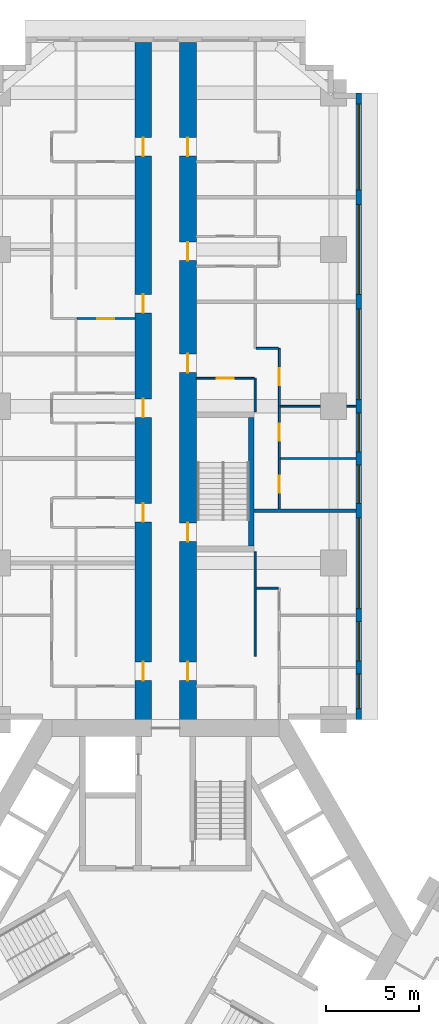
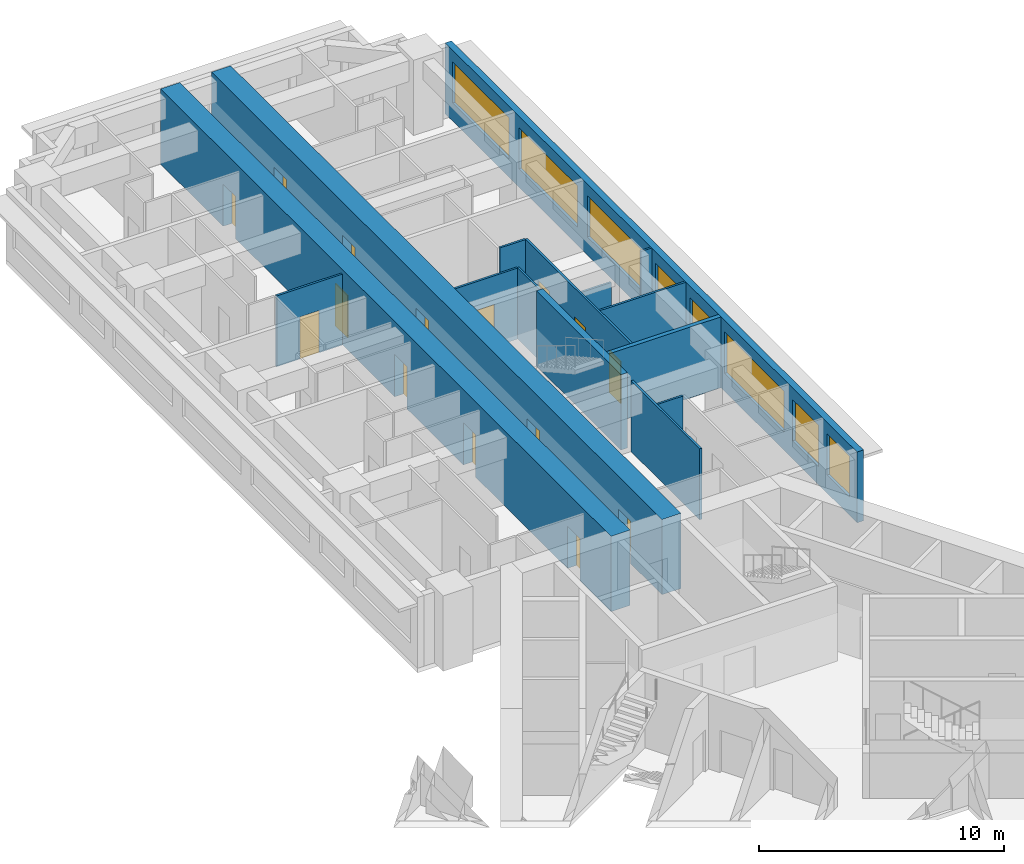
# One storey, part 10 of 16: 15 doors, 15 walls, 8 windows, 23 openings.
"""IFC4 building model written with IfcOpenShell, lengths in metres."""

from ifc_helpers import new_model, si_unit, direction, frame, frame_2d, origin, place, context, subcontext, project, spatial, rectangle, extrude, material, layer, layer_set, type_object, element, fill, save


model = new_model("IFC4")

# Units and contexts
model_context = context("Model", 3, precision=1e-05, world=origin(), true_north=direction((0.0, 1.0)))
body_context = subcontext(model_context, "Body", "Model", "MODEL_VIEW")
ifc_project = project(units=[si_unit("LENGTHUNIT", "METRE"), si_unit("AREAUNIT", "SQUARE_METRE"), si_unit("VOLUMEUNIT", "CUBIC_METRE"), si_unit("PLANEANGLEUNIT", "RADIAN"), si_unit("MASSUNIT", "GRAM", prefix="KILO")], contexts=[model_context])

# Site, building, storey
site_placement = place(None, origin())
site = spatial("IfcSite", under=ifc_project, at=site_placement, CompositionType="ELEMENT")
building_placement = place(site_placement, origin())
building = spatial("IfcBuilding", under=site, at=building_placement, Name="Impinga Residences", CompositionType="ELEMENT")
storey_placement = place(building_placement, frame((0.0, 0.0, 67.25)))
storey = spatial("IfcBuildingStorey", under=building, at=storey_placement, Name="L16", CompositionType="ELEMENT", Elevation=67.25)

# Wall, openings, doors
ifc_material_1 = material(Name="Concrete C70/85", Category="concrete")
ifc_layer_1 = layer(ifc_material_1, 0.89990234375)
ifc_layer_set_1 = layer_set([ifc_layer_1], Name="Concrete C70/85")
wall_type_1 = type_object("IfcWallType", Name="BW1 corridor buttress wall, L05 to L22 900", PredefinedType="SHEAR", material=ifc_layer_set_1)
wall_1_placement = place(storey_placement, frame((-1.199951171875, 10.9814453125, 0.0), z_axis=(0.0, 0.0, 1.0), x_axis=(0.0, 1.0, 0.0)))
wall_1 = element("IfcWall", 1, at=wall_1_placement, inside=storey, type_object=wall_type_1, Name="Corridor wall BW1 NC L16", PredefinedType="SHEAR", context=body_context, shape_type="SweptSolid", body=[
    extrude(rectangle(XDim=36.75, YDim=0.89990234375, at=frame_2d((18.375, 0.0))), origin(), (0.0, 0.0, 1.0), 3.75),
])
opening_1_placement = place(wall_1_placement, frame((2.550048828125, 0.0, 0.0)))
opening_1 = element("IfcOpeningElement", 2, at=opening_1_placement, cuts=wall_1, Name="Opening D1", PredefinedType="OPENING", context=body_context, shape_type="SweptSolid", body=[
    extrude(rectangle(XDim=1.0, YDim=2.10009765625, at=frame_2d((0.5, 1.050048828125))), frame((0.0, 0.4599609375, 0.0), z_axis=(0.0, -1.0, 0.0), x_axis=(1.0, 0.0, 0.0)), (0.0, 0.0, 1.0), 0.919921875),
])
opening_2_placement = place(wall_1_placement, frame((11.050048828125, 0.0, 0.0)))
opening_2 = element("IfcOpeningElement", 3, at=opening_2_placement, cuts=wall_1, Name="Opening D1", PredefinedType="OPENING", context=body_context, shape_type="SweptSolid", body=[
    extrude(rectangle(XDim=1.0, YDim=2.10009765625, at=frame_2d((0.5, 1.050048828125))), frame((0.0, 0.4599609375, 0.0), z_axis=(0.0, -1.0, 0.0), x_axis=(1.0, 0.0, 0.0)), (0.0, 0.0, 1.0), 0.919921875),
])
opening_3_placement = place(wall_1_placement, frame((16.64990234375, 0.0, 0.0)))
opening_3 = element("IfcOpeningElement", 4, at=opening_3_placement, cuts=wall_1, Name="Opening D1", PredefinedType="OPENING", context=body_context, shape_type="SweptSolid", body=[
    extrude(rectangle(XDim=1.0, YDim=2.10009765625, at=frame_2d((0.5, 1.050048828125))), frame((0.0, 0.4599609375, 0.0), z_axis=(0.0, -1.0, 0.0), x_axis=(1.0, 0.0, 0.0)), (0.0, 0.0, 1.0), 0.919921875),
])
opening_4_placement = place(wall_1_placement, frame((22.25, 0.0, 0.0)))
opening_4 = element("IfcOpeningElement", 5, at=opening_4_placement, cuts=wall_1, Name="Opening D1", PredefinedType="OPENING", context=body_context, shape_type="SweptSolid", body=[
    extrude(rectangle(XDim=1.0, YDim=2.10009765625, at=frame_2d((0.5, 1.050048828125))), frame((0.0, 0.4599609375, 0.0), z_axis=(0.0, -1.0, 0.0), x_axis=(1.0, 0.0, 0.0)), (0.0, 0.0, 1.0), 0.919921875),
])
opening_5_placement = place(wall_1_placement, frame((30.64990234375, 0.0, 0.0)))
opening_5 = element("IfcOpeningElement", 6, at=opening_5_placement, cuts=wall_1, Name="Opening D1", PredefinedType="OPENING", context=body_context, shape_type="SweptSolid", body=[
    extrude(rectangle(XDim=1.0, YDim=2.10009765625, at=frame_2d((0.5, 1.050048828125))), frame((0.0, 0.4599609375, 0.0), z_axis=(0.0, -1.0, 0.0), x_axis=(1.0, 0.0, 0.0)), (0.0, 0.0, 1.0), 0.919921875),
])
ifc_material_2 = material(Name="Timber door set", Category="wood")
door_type_1 = type_object("IfcDoorType", Name="D1 apartment entrance door 1000x2100", OperationType="SINGLE_SWING_LEFT", PredefinedType="DOOR", material=ifc_material_2)
door_1_placement = place(opening_1_placement, origin())
door_1 = element("IfcDoor", 7, at=door_1_placement, inside=storey, type_object=door_type_1, Name="Apartment L16-NA1 entrance", OperationType="SINGLE_SWING_LEFT", OverallHeight=2.10009765625, OverallWidth=1.0, PredefinedType="DOOR", context=body_context, shape_type="SweptSolid", body=[
    extrude(rectangle(XDim=1.0, YDim=2.10009765625, at=frame_2d((0.5, 1.050048828125))), frame((0.0, 0.02490234375, 0.0), z_axis=(0.0, -1.0, 0.0), x_axis=(1.0, 0.0, 0.0)), (0.0, 0.0, 1.0), 0.050048828125),
])
fill(opening_1, door_1)
door_2_placement = place(opening_2_placement, origin())
door_2 = element("IfcDoor", 8, at=door_2_placement, inside=storey, type_object=door_type_1, Name="Apartment L16-NA2 entrance", OperationType="SINGLE_SWING_LEFT", OverallHeight=2.10009765625, OverallWidth=1.0, PredefinedType="DOOR", context=body_context, shape_type="SweptSolid", body=[
    extrude(rectangle(XDim=1.0, YDim=2.10009765625, at=frame_2d((0.5, 1.050048828125))), frame((0.0, 0.02490234375, 0.0), z_axis=(0.0, -1.0, 0.0), x_axis=(1.0, 0.0, 0.0)), (0.0, 0.0, 1.0), 0.050048828125),
])
fill(opening_2, door_2)
door_3_placement = place(opening_3_placement, origin())
door_3 = element("IfcDoor", 9, at=door_3_placement, inside=storey, type_object=door_type_1, Name="Apartment L16-NA3 entrance", OperationType="SINGLE_SWING_LEFT", OverallHeight=2.10009765625, OverallWidth=1.0, PredefinedType="DOOR", context=body_context, shape_type="SweptSolid", body=[
    extrude(rectangle(XDim=1.0, YDim=2.10009765625, at=frame_2d((0.5, 1.050048828125))), frame((0.0, 0.02490234375, 0.0), z_axis=(0.0, -1.0, 0.0), x_axis=(1.0, 0.0, 0.0)), (0.0, 0.0, 1.0), 0.050048828125),
])
fill(opening_3, door_3)
door_4_placement = place(opening_4_placement, origin())
door_4 = element("IfcDoor", 10, at=door_4_placement, inside=storey, type_object=door_type_1, Name="Apartment L16-NA4 entrance", OperationType="SINGLE_SWING_RIGHT", OverallHeight=2.10009765625, OverallWidth=1.0, PredefinedType="DOOR", context=body_context, shape_type="SweptSolid", body=[
    extrude(rectangle(XDim=1.0, YDim=2.10009765625, at=frame_2d((0.5, 1.050048828125))), frame((0.0, 0.02490234375, 0.0), z_axis=(0.0, -1.0, 0.0), x_axis=(1.0, 0.0, 0.0)), (0.0, 0.0, 1.0), 0.050048828125),
])
fill(opening_4, door_4)
door_5_placement = place(opening_5_placement, origin())
door_5 = element("IfcDoor", 11, at=door_5_placement, inside=storey, type_object=door_type_1, Name="Apartment L16-NA5 entrance", OperationType="SINGLE_SWING_RIGHT", OverallHeight=2.10009765625, OverallWidth=1.0, PredefinedType="DOOR", context=body_context, shape_type="SweptSolid", body=[
    extrude(rectangle(XDim=1.0, YDim=2.10009765625, at=frame_2d((0.5, 1.050048828125))), frame((0.0, 0.02490234375, 0.0), z_axis=(0.0, -1.0, 0.0), x_axis=(1.0, 0.0, 0.0)), (0.0, 0.0, 1.0), 0.050048828125),
])
fill(opening_5, door_5)

wall_2_placement = place(storey_placement, frame((1.199951171875, 10.9814453125, 0.0), z_axis=(0.0, 0.0, 1.0), x_axis=(0.0, 1.0, 0.0)))
wall_2 = element("IfcWall", 12, at=wall_2_placement, inside=storey, type_object=wall_type_1, Name="Corridor wall BW1 ND L16", PredefinedType="SHEAR", context=body_context, shape_type="SweptSolid", body=[
    extrude(rectangle(XDim=36.75, YDim=0.89990234375, at=frame_2d((18.375, 0.0))), origin(), (0.0, 0.0, 1.0), 3.75),
])
opening_6_placement = place(wall_2_placement, frame((10.0, 0.0, 0.0)))
opening_6 = element("IfcOpeningElement", 13, at=opening_6_placement, cuts=wall_2, Name="Opening D5", PredefinedType="OPENING", context=body_context, shape_type="SweptSolid", body=[
    extrude(rectangle(XDim=1.0, YDim=2.10009765625, at=frame_2d((0.5, 1.050048828125))), frame((0.0, 0.4599609375, 0.0), z_axis=(0.0, -1.0, 0.0), x_axis=(1.0, 0.0, 0.0)), (0.0, 0.0, 1.0), 0.919921875),
])
opening_7_placement = place(wall_2_placement, frame((2.550048828125, 0.0, 0.0)))
opening_7 = element("IfcOpeningElement", 14, at=opening_7_placement, cuts=wall_2, Name="Opening D1", PredefinedType="OPENING", context=body_context, shape_type="SweptSolid", body=[
    extrude(rectangle(XDim=1.0, YDim=2.10009765625, at=frame_2d((0.5, 1.050048828125))), frame((0.0, 0.4599609375, 0.0), z_axis=(0.0, -1.0, 0.0), x_axis=(1.0, 0.0, 0.0)), (0.0, 0.0, 1.0), 0.919921875),
])
opening_8_placement = place(wall_2_placement, frame((19.050048828125, 0.0, 0.0)))
opening_8 = element("IfcOpeningElement", 15, at=opening_8_placement, cuts=wall_2, Name="Opening D1", PredefinedType="OPENING", context=body_context, shape_type="SweptSolid", body=[
    extrude(rectangle(XDim=1.0, YDim=2.10009765625, at=frame_2d((0.5, 1.050048828125))), frame((0.0, 0.4599609375, 0.0), z_axis=(0.0, -1.0, 0.0), x_axis=(1.0, 0.0, 0.0)), (0.0, 0.0, 1.0), 0.919921875),
])
opening_9_placement = place(wall_2_placement, frame((25.050048828125, 0.0, 0.0)))
opening_9 = element("IfcOpeningElement", 16, at=opening_9_placement, cuts=wall_2, Name="Opening D1", PredefinedType="OPENING", context=body_context, shape_type="SweptSolid", body=[
    extrude(rectangle(XDim=1.0, YDim=2.10009765625, at=frame_2d((0.5, 1.050048828125))), frame((0.0, 0.4599609375, 0.0), z_axis=(0.0, -1.0, 0.0), x_axis=(1.0, 0.0, 0.0)), (0.0, 0.0, 1.0), 0.919921875),
])
opening_10_placement = place(wall_2_placement, frame((30.64990234375, 0.0, 0.0)))
opening_10 = element("IfcOpeningElement", 17, at=opening_10_placement, cuts=wall_2, Name="Opening D1", PredefinedType="OPENING", context=body_context, shape_type="SweptSolid", body=[
    extrude(rectangle(XDim=1.0, YDim=2.10009765625, at=frame_2d((0.5, 1.050048828125))), frame((0.0, 0.4599609375, 0.0), z_axis=(0.0, -1.0, 0.0), x_axis=(1.0, 0.0, 0.0)), (0.0, 0.0, 1.0), 0.919921875),
])
door_6_placement = place(opening_7_placement, origin())
door_6 = element("IfcDoor", 18, at=door_6_placement, inside=storey, type_object=door_type_1, Name="Apartment L16-NF1 entrance", OperationType="SINGLE_SWING_LEFT", OverallHeight=2.10009765625, OverallWidth=1.0, PredefinedType="DOOR", context=body_context, shape_type="SweptSolid", body=[
    extrude(rectangle(XDim=1.0, YDim=2.10009765625, at=frame_2d((0.5, 1.050048828125))), frame((0.0, 0.02490234375, 0.0), z_axis=(0.0, -1.0, 0.0), x_axis=(1.0, 0.0, 0.0)), (0.0, 0.0, 1.0), 0.050048828125),
])
fill(opening_7, door_6)
door_7_placement = place(opening_8_placement, origin())
door_7 = element("IfcDoor", 19, at=door_7_placement, inside=storey, type_object=door_type_1, Name="Apartment L16-NF2 entrance", OperationType="SINGLE_SWING_RIGHT", OverallHeight=2.10009765625, OverallWidth=1.0, PredefinedType="DOOR", context=body_context, shape_type="SweptSolid", body=[
    extrude(rectangle(XDim=1.0, YDim=2.10009765625, at=frame_2d((0.5, 1.050048828125))), frame((0.0, 0.02490234375, 0.0), z_axis=(0.0, -1.0, 0.0), x_axis=(1.0, 0.0, 0.0)), (0.0, 0.0, 1.0), 0.050048828125),
])
fill(opening_8, door_7)
door_8_placement = place(opening_9_placement, origin())
door_8 = element("IfcDoor", 20, at=door_8_placement, inside=storey, type_object=door_type_1, Name="Apartment L16-NF3 entrance", OperationType="SINGLE_SWING_RIGHT", OverallHeight=2.10009765625, OverallWidth=1.0, PredefinedType="DOOR", context=body_context, shape_type="SweptSolid", body=[
    extrude(rectangle(XDim=1.0, YDim=2.10009765625, at=frame_2d((0.5, 1.050048828125))), frame((0.0, 0.02490234375, 0.0), z_axis=(0.0, -1.0, 0.0), x_axis=(1.0, 0.0, 0.0)), (0.0, 0.0, 1.0), 0.050048828125),
])
fill(opening_9, door_8)
door_9_placement = place(opening_10_placement, origin())
door_9 = element("IfcDoor", 21, at=door_9_placement, inside=storey, type_object=door_type_1, Name="Apartment L16-NF4 entrance", OperationType="SINGLE_SWING_RIGHT", OverallHeight=2.10009765625, OverallWidth=1.0, PredefinedType="DOOR", context=body_context, shape_type="SweptSolid", body=[
    extrude(rectangle(XDim=1.0, YDim=2.10009765625, at=frame_2d((0.5, 1.050048828125))), frame((0.0, 0.02490234375, 0.0), z_axis=(0.0, -1.0, 0.0), x_axis=(1.0, 0.0, 0.0)), (0.0, 0.0, 1.0), 0.050048828125),
])
fill(opening_10, door_9)
door_type_2 = type_object("IfcDoorType", Name="D5 stair door 1000x2100", OperationType="SINGLE_SWING_LEFT", PredefinedType="DOOR", material=ifc_material_2)
door_10_placement = place(opening_6_placement, origin())
door_10 = element("IfcDoor", 22, at=door_10_placement, inside=storey, type_object=door_type_2, Name="Wing stair door N", OperationType="SINGLE_SWING_LEFT", OverallHeight=2.10009765625, OverallWidth=1.0, PredefinedType="DOOR", context=body_context, shape_type="SweptSolid", body=[
    extrude(rectangle(XDim=1.0, YDim=2.10009765625, at=frame_2d((0.5, 1.050048828125))), frame((0.0, 0.02490234375, 0.0), z_axis=(0.0, -1.0, 0.0), x_axis=(1.0, 0.0, 0.0)), (0.0, 0.0, 1.0), 0.050048828125),
])
fill(opening_6, door_10)

# Wall, openings, windows
ifc_material_3 = material(Name="Terracotta rainscreen on blockwork", Category="masonry")
ifc_layer_2 = layer(ifc_material_3, 0.300048828125)
ifc_layer_set_2 = layer_set([ifc_layer_2], Name="EW1 external wall, terracotta rainscreen on blockwork 300")
wall_type_2 = type_object("IfcWallType", Name="EW1 external wall, terracotta rainscreen on blockwork 300", PredefinedType="SOLIDWALL", material=ifc_layer_set_2)
wall_3_placement = place(storey_placement, frame((10.35009765625, 45.031494140625, 0.0), z_axis=(0.0, 0.0, 1.0), x_axis=(0.0, -1.0, 0.0)))
wall_3 = element("IfcWall", 23, at=wall_3_placement, inside=storey, type_object=wall_type_2, Name="External wall EW1 L16", PredefinedType="SOLIDWALL", context=body_context, shape_type="SweptSolid", body=[
    extrude(rectangle(XDim=33.599853515625, YDim=0.300048828125, at=frame_2d((16.7998046875, 0.0))), origin(), (0.0, 0.0, 1.0), 3.530029296875),
])
opening_11_placement = place(wall_3_placement, frame((0.60009765625, 0.0, 0.89990234375)))
opening_11 = element("IfcOpeningElement", 24, at=opening_11_placement, cuts=wall_3, Name="Opening W3", PredefinedType="OPENING", context=body_context, shape_type="SweptSolid", body=[
    extrude(rectangle(XDim=4.60009765625, YDim=2.050048828125, at=frame_2d((2.300048828125, 1.02490234375))), frame((0.0, 0.159912109375, 0.0), z_axis=(0.0, -1.0, 0.0), x_axis=(1.0, 0.0, 0.0)), (0.0, 0.0, 1.0), 0.320068359375),
])
opening_12_placement = place(wall_3_placement, frame((6.0, 0.0, 0.89990234375)))
opening_12 = element("IfcOpeningElement", 25, at=opening_12_placement, cuts=wall_3, Name="Opening W8", PredefinedType="OPENING", context=body_context, shape_type="SweptSolid", body=[
    extrude(rectangle(XDim=4.800048828125, YDim=2.050048828125, at=frame_2d((2.39990234375, 1.02490234375))), frame((0.0, 0.159912109375, 0.0), z_axis=(0.0, -1.0, 0.0), x_axis=(1.0, 0.0, 0.0)), (0.0, 0.0, 1.0), 0.320068359375),
])
opening_13_placement = place(wall_3_placement, frame((11.60009765625, 0.0, 0.89990234375)))
opening_13 = element("IfcOpeningElement", 26, at=opening_13_placement, cuts=wall_3, Name="Opening W6", PredefinedType="OPENING", context=body_context, shape_type="SweptSolid", body=[
    extrude(rectangle(XDim=4.85009765625, YDim=2.050048828125, at=frame_2d((2.425048828125, 1.02490234375))), frame((0.0, 0.159912109375, 0.0), z_axis=(0.0, -1.0, 0.0), x_axis=(1.0, 0.0, 0.0)), (0.0, 0.0, 1.0), 0.320068359375),
])
opening_14_placement = place(wall_3_placement, frame((17.14990234375, 0.0, 0.89990234375)))
opening_14 = element("IfcOpeningElement", 27, at=opening_14_placement, cuts=wall_3, Name="Opening W9", PredefinedType="OPENING", context=body_context, shape_type="SweptSolid", body=[
    extrude(rectangle(XDim=2.10009765625, YDim=2.050048828125, at=frame_2d((1.050048828125, 1.02490234375))), frame((0.0, 0.159912109375, 0.0), z_axis=(0.0, -1.0, 0.0), x_axis=(1.0, 0.0, 0.0)), (0.0, 0.0, 1.0), 0.320068359375),
])
opening_15_placement = place(wall_3_placement, frame((19.949951171875, 0.0, 0.89990234375)))
opening_15 = element("IfcOpeningElement", 28, at=opening_15_placement, cuts=wall_3, Name="Opening W14", PredefinedType="OPENING", context=body_context, shape_type="SweptSolid", body=[
    extrude(rectangle(XDim=2.050048828125, YDim=2.050048828125, at=frame_2d((1.02490234375, 1.02490234375))), frame((0.0, 0.159912109375, 0.0), z_axis=(0.0, -1.0, 0.0), x_axis=(1.0, 0.0, 0.0)), (0.0, 0.0, 1.0), 0.320068359375),
])
opening_16_placement = place(wall_3_placement, frame((22.800048828125, 0.0, 0.89990234375)))
opening_16 = element("IfcOpeningElement", 29, at=opening_16_placement, cuts=wall_3, Name="Opening W6", PredefinedType="OPENING", context=body_context, shape_type="SweptSolid", body=[
    extrude(rectangle(XDim=4.85009765625, YDim=2.050048828125, at=frame_2d((2.425048828125, 1.02490234375))), frame((0.0, 0.159912109375, 0.0), z_axis=(0.0, -1.0, 0.0), x_axis=(1.0, 0.0, 0.0)), (0.0, 0.0, 1.0), 0.320068359375),
])
opening_17_placement = place(wall_3_placement, frame((28.35009765625, 0.0, 0.89990234375)))
opening_17 = element("IfcOpeningElement", 30, at=opening_17_placement, cuts=wall_3, Name="Opening W9", PredefinedType="OPENING", context=body_context, shape_type="SweptSolid", body=[
    extrude(rectangle(XDim=2.10009765625, YDim=2.050048828125, at=frame_2d((1.050048828125, 1.02490234375))), frame((0.0, 0.159912109375, 0.0), z_axis=(0.0, -1.0, 0.0), x_axis=(1.0, 0.0, 0.0)), (0.0, 0.0, 1.0), 0.320068359375),
])
opening_18_placement = place(wall_3_placement, frame((31.14990234375, 0.0, 0.89990234375)))
opening_18 = element("IfcOpeningElement", 31, at=opening_18_placement, cuts=wall_3, Name="Opening W15", PredefinedType="OPENING", context=body_context, shape_type="SweptSolid", body=[
    extrude(rectangle(XDim=1.85009765625, YDim=2.050048828125, at=frame_2d((0.925048828125, 1.02490234375))), frame((0.0, 0.159912109375, 0.0), z_axis=(0.0, -1.0, 0.0), x_axis=(1.0, 0.0, 0.0)), (0.0, 0.0, 1.0), 0.320068359375),
])
ifc_material_4 = material(Name="Aluminium window, clear double glazing", Category="aluminium")
window_type_1 = type_object("IfcWindowType", Name="W14 ribbon window 2050x2050", PartitioningType="SINGLE_PANEL", PredefinedType="WINDOW", material=ifc_material_4)
window_1_placement = place(opening_15_placement, origin())
window_1 = element("IfcWindow", 32, at=window_1_placement, inside=storey, type_object=window_type_1, Name="Window L16", OverallHeight=2.050048828125, OverallWidth=2.050048828125, PartitioningType="SINGLE_PANEL", PredefinedType="WINDOW", context=body_context, shape_type="SweptSolid", body=[
    extrude(rectangle(XDim=2.050048828125, YDim=2.050048828125, at=frame_2d((1.02490234375, 1.02490234375))), frame((0.0, 0.030029296875, 0.0), z_axis=(0.0, -1.0, 0.0), x_axis=(1.0, 0.0, 0.0)), (0.0, 0.0, 1.0), 0.06005859375),
])
fill(opening_15, window_1)
window_type_2 = type_object("IfcWindowType", Name="W15 ribbon window 1850x2050", PartitioningType="SINGLE_PANEL", PredefinedType="WINDOW", material=ifc_material_4)
window_2_placement = place(opening_18_placement, origin())
window_2 = element("IfcWindow", 33, at=window_2_placement, inside=storey, type_object=window_type_2, Name="Window L16", OverallHeight=2.050048828125, OverallWidth=1.85009765625, PartitioningType="SINGLE_PANEL", PredefinedType="WINDOW", context=body_context, shape_type="SweptSolid", body=[
    extrude(rectangle(XDim=1.85009765625, YDim=2.050048828125, at=frame_2d((0.925048828125, 1.02490234375))), frame((0.0, 0.030029296875, 0.0), z_axis=(0.0, -1.0, 0.0), x_axis=(1.0, 0.0, 0.0)), (0.0, 0.0, 1.0), 0.06005859375),
])
fill(opening_18, window_2)
window_type_3 = type_object("IfcWindowType", Name="W3 ribbon window 4600x2050", PartitioningType="SINGLE_PANEL", PredefinedType="WINDOW", material=ifc_material_4)
window_3_placement = place(opening_11_placement, origin())
window_3 = element("IfcWindow", 34, at=window_3_placement, inside=storey, type_object=window_type_3, Name="Window L16", OverallHeight=2.050048828125, OverallWidth=4.60009765625, PartitioningType="SINGLE_PANEL", PredefinedType="WINDOW", context=body_context, shape_type="SweptSolid", body=[
    extrude(rectangle(XDim=4.60009765625, YDim=2.050048828125, at=frame_2d((2.300048828125, 1.02490234375))), frame((0.0, 0.030029296875, 0.0), z_axis=(0.0, -1.0, 0.0), x_axis=(1.0, 0.0, 0.0)), (0.0, 0.0, 1.0), 0.06005859375),
])
fill(opening_11, window_3)
window_type_4 = type_object("IfcWindowType", Name="W6 ribbon window 4850x2050", PartitioningType="SINGLE_PANEL", PredefinedType="WINDOW", material=ifc_material_4)
window_4_placement = place(opening_13_placement, origin())
window_4 = element("IfcWindow", 35, at=window_4_placement, inside=storey, type_object=window_type_4, Name="Window L16", OverallHeight=2.050048828125, OverallWidth=4.85009765625, PartitioningType="SINGLE_PANEL", PredefinedType="WINDOW", context=body_context, shape_type="SweptSolid", body=[
    extrude(rectangle(XDim=4.85009765625, YDim=2.050048828125, at=frame_2d((2.425048828125, 1.02490234375))), frame((0.0, 0.030029296875, 0.0), z_axis=(0.0, -1.0, 0.0), x_axis=(1.0, 0.0, 0.0)), (0.0, 0.0, 1.0), 0.06005859375),
])
fill(opening_13, window_4)
window_5_placement = place(opening_16_placement, origin())
window_5 = element("IfcWindow", 36, at=window_5_placement, inside=storey, type_object=window_type_4, Name="Window L16", OverallHeight=2.050048828125, OverallWidth=4.85009765625, PartitioningType="SINGLE_PANEL", PredefinedType="WINDOW", context=body_context, shape_type="SweptSolid", body=[
    extrude(rectangle(XDim=4.85009765625, YDim=2.050048828125, at=frame_2d((2.425048828125, 1.02490234375))), frame((0.0, 0.030029296875, 0.0), z_axis=(0.0, -1.0, 0.0), x_axis=(1.0, 0.0, 0.0)), (0.0, 0.0, 1.0), 0.06005859375),
])
fill(opening_16, window_5)
window_type_5 = type_object("IfcWindowType", Name="W8 ribbon window 4800x2050", PartitioningType="SINGLE_PANEL", PredefinedType="WINDOW", material=ifc_material_4)
window_6_placement = place(opening_12_placement, origin())
window_6 = element("IfcWindow", 37, at=window_6_placement, inside=storey, type_object=window_type_5, Name="Window L16", OverallHeight=2.050048828125, OverallWidth=4.800048828125, PartitioningType="SINGLE_PANEL", PredefinedType="WINDOW", context=body_context, shape_type="SweptSolid", body=[
    extrude(rectangle(XDim=4.800048828125, YDim=2.050048828125, at=frame_2d((2.39990234375, 1.02490234375))), frame((0.0, 0.030029296875, 0.0), z_axis=(0.0, -1.0, 0.0), x_axis=(1.0, 0.0, 0.0)), (0.0, 0.0, 1.0), 0.06005859375),
])
fill(opening_12, window_6)
window_type_6 = type_object("IfcWindowType", Name="W9 ribbon window 2100x2050", PartitioningType="SINGLE_PANEL", PredefinedType="WINDOW", material=ifc_material_4)
window_7_placement = place(opening_14_placement, origin())
window_7 = element("IfcWindow", 38, at=window_7_placement, inside=storey, type_object=window_type_6, Name="Window L16", OverallHeight=2.050048828125, OverallWidth=2.10009765625, PartitioningType="SINGLE_PANEL", PredefinedType="WINDOW", context=body_context, shape_type="SweptSolid", body=[
    extrude(rectangle(XDim=2.10009765625, YDim=2.050048828125, at=frame_2d((1.050048828125, 1.02490234375))), frame((0.0, 0.030029296875, 0.0), z_axis=(0.0, -1.0, 0.0), x_axis=(1.0, 0.0, 0.0)), (0.0, 0.0, 1.0), 0.06005859375),
])
fill(opening_14, window_7)
window_8_placement = place(opening_17_placement, origin())
window_8 = element("IfcWindow", 39, at=window_8_placement, inside=storey, type_object=window_type_6, Name="Window L16", OverallHeight=2.050048828125, OverallWidth=2.10009765625, PartitioningType="SINGLE_PANEL", PredefinedType="WINDOW", context=body_context, shape_type="SweptSolid", body=[
    extrude(rectangle(XDim=2.10009765625, YDim=2.050048828125, at=frame_2d((1.050048828125, 1.02490234375))), frame((0.0, 0.030029296875, 0.0), z_axis=(0.0, -1.0, 0.0), x_axis=(1.0, 0.0, 0.0)), (0.0, 0.0, 1.0), 0.06005859375),
])
fill(opening_17, window_8)

# Wall, opening, door
ifc_material_5 = material(Name="Gypsum board on steel studs", Category="steel")
ifc_layer_3 = layer(ifc_material_5, 0.10009765625)
ifc_layer_set_3 = layer_set([ifc_layer_3], Name="Gypsum board on steel studs")
wall_type_3 = type_object("IfcWallType", Name="IP1 partition 100", PredefinedType="PARTITIONING", material=ifc_layer_set_3)
wall_4_placement = place(storey_placement, frame((-1.64990234375, 32.931640625, 0.0), z_axis=(0.0, 0.0, 1.0), x_axis=(-1.0, 0.0, 0.0)))
wall_4 = element("IfcWall", 40, at=wall_4_placement, inside=storey, type_object=wall_type_3, Name="Partition L16-NA4:IB1", PredefinedType="PARTITIONING", context=body_context, shape_type="SweptSolid", body=[
    extrude(rectangle(XDim=3.10009765625, YDim=0.10009765625, at=frame_2d((1.550048828125, 0.0))), origin(), (0.0, 0.0, 1.0), 3.530029296875),
])
opening_19_placement = place(wall_4_placement, frame((1.10009765625, 0.0, 0.0)))
opening_19 = element("IfcOpeningElement", 41, at=opening_19_placement, cuts=wall_4, Name="Opening D2", PredefinedType="OPENING", context=body_context, shape_type="SweptSolid", body=[
    extrude(rectangle(XDim=0.89990234375, YDim=2.10009765625, at=frame_2d((0.449951171875, 1.050048828125))), frame((0.0, 0.06005859375, 0.0), z_axis=(0.0, -1.0, 0.0), x_axis=(1.0, 0.0, 0.0)), (0.0, 0.0, 1.0), 0.1201171875),
])
door_type_3 = type_object("IfcDoorType", Name="D2 internal door 900x2100", OperationType="SINGLE_SWING_LEFT", PredefinedType="DOOR", material=ifc_material_2)
door_11_placement = place(opening_19_placement, origin())
door_11 = element("IfcDoor", 42, at=door_11_placement, inside=storey, type_object=door_type_3, Name="Apartment L16-NA4 bathroom door", OperationType="SINGLE_SWING_LEFT", OverallHeight=2.10009765625, OverallWidth=0.89990234375, PredefinedType="DOOR", context=body_context, shape_type="SweptSolid", body=[
    extrude(rectangle(XDim=0.89990234375, YDim=2.10009765625, at=frame_2d((0.449951171875, 1.050048828125))), frame((0.0, 0.02490234375, 0.0), z_axis=(0.0, -1.0, 0.0), x_axis=(1.0, 0.0, 0.0)), (0.0, 0.0, 1.0), 0.050048828125),
])
fill(opening_19, door_11)

# Walls
wall_5_placement = place(storey_placement, frame((4.800048828125, 14.83154296875, 0.0), z_axis=(0.0, 0.0, 1.0), x_axis=(0.0, 1.0, 0.0)))
element("IfcWall", 43, at=wall_5_placement, inside=storey, type_object=wall_type_3, Name="Partition L16-NF1:DIV1", PredefinedType="PARTITIONING", context=body_context, shape_type="SweptSolid", body=[
    extrude(rectangle(XDim=5.60009765625, YDim=0.10009765625, at=frame_2d((2.800048828125, 0.0))), origin(), (0.0, 0.0, 1.0), 3.530029296875),
])
wall_6_placement = place(storey_placement, frame((4.85009765625, 18.4814453125, 0.0), z_axis=(0.0, 0.0, 1.0), x_axis=(1.0, 0.0, 0.0)))
element("IfcWall", 44, at=wall_6_placement, inside=storey, type_object=wall_type_3, Name="Partition L16-NF1:SE1", PredefinedType="PARTITIONING", context=body_context, shape_type="SweptSolid", body=[
    extrude(rectangle(XDim=1.199951171875, YDim=0.10009765625, at=frame_2d((0.60009765625, 0.0))), origin(), (0.0, 0.0, 1.0), 3.530029296875),
])
wall_7_placement = place(storey_placement, frame((4.800048828125, 27.931640625, 0.0), z_axis=(0.0, 0.0, 1.0), x_axis=(0.0, 1.0, 0.0)))
element("IfcWall", 45, at=wall_7_placement, inside=storey, type_object=wall_type_3, Name="Partition L16-NF2:DIV0", PredefinedType="PARTITIONING", context=body_context, shape_type="SweptSolid", body=[
    extrude(rectangle(XDim=1.7998046875, YDim=0.10009765625, at=frame_2d((0.89990234375, 0.0))), origin(), (0.0, 0.0, 1.0), 3.530029296875),
])

# Wall, openings, doors
wall_8_placement = place(storey_placement, frame((6.10009765625, 22.7314453125, 0.0), z_axis=(0.0, 0.0, 1.0), x_axis=(0.0, 1.0, 0.0)))
wall_8 = element("IfcWall", 46, at=wall_8_placement, inside=storey, type_object=wall_type_3, Name="Partition L16-NF2:STRIP", PredefinedType="PARTITIONING", context=body_context, shape_type="SweptSolid", body=[
    extrude(rectangle(XDim=8.60009765625, YDim=0.10009765625, at=frame_2d((4.300048828125, 0.0))), origin(), (0.0, 0.0, 1.0), 3.530029296875),
])
opening_20_placement = place(wall_8_placement, frame((0.875, 0.0, 0.0)))
opening_20 = element("IfcOpeningElement", 47, at=opening_20_placement, cuts=wall_8, Name="Opening D2", PredefinedType="OPENING", context=body_context, shape_type="SweptSolid", body=[
    extrude(rectangle(XDim=0.89990234375, YDim=2.10009765625, at=frame_2d((0.449951171875, 1.050048828125))), frame((0.0, 0.06005859375, 0.0), z_axis=(0.0, -1.0, 0.0), x_axis=(1.0, 0.0, 0.0)), (0.0, 0.0, 1.0), 0.1201171875),
])
opening_21_placement = place(wall_8_placement, frame((3.64990234375, 0.0, 0.0)))
opening_21 = element("IfcOpeningElement", 48, at=opening_21_placement, cuts=wall_8, Name="Opening D2", PredefinedType="OPENING", context=body_context, shape_type="SweptSolid", body=[
    extrude(rectangle(XDim=0.89990234375, YDim=2.10009765625, at=frame_2d((0.449951171875, 1.050048828125))), frame((0.0, 0.06005859375, 0.0), z_axis=(0.0, -1.0, 0.0), x_axis=(1.0, 0.0, 0.0)), (0.0, 0.0, 1.0), 0.1201171875),
])
opening_22_placement = place(wall_8_placement, frame((6.625, 0.0, 0.0)))
opening_22 = element("IfcOpeningElement", 49, at=opening_22_placement, cuts=wall_8, Name="Opening D2", PredefinedType="OPENING", context=body_context, shape_type="SweptSolid", body=[
    extrude(rectangle(XDim=0.89990234375, YDim=2.10009765625, at=frame_2d((0.449951171875, 1.050048828125))), frame((0.0, 0.06005859375, 0.0), z_axis=(0.0, -1.0, 0.0), x_axis=(1.0, 0.0, 0.0)), (0.0, 0.0, 1.0), 0.1201171875),
])
door_12_placement = place(opening_20_placement, origin())
door_12 = element("IfcDoor", 50, at=door_12_placement, inside=storey, type_object=door_type_3, Name="Apartment L16-NF2 room door", OperationType="SINGLE_SWING_LEFT", OverallHeight=2.10009765625, OverallWidth=0.89990234375, PredefinedType="DOOR", context=body_context, shape_type="SweptSolid", body=[
    extrude(rectangle(XDim=0.89990234375, YDim=2.10009765625, at=frame_2d((0.449951171875, 1.050048828125))), frame((0.0, 0.02490234375, 0.0), z_axis=(0.0, -1.0, 0.0), x_axis=(1.0, 0.0, 0.0)), (0.0, 0.0, 1.0), 0.050048828125),
])
fill(opening_20, door_12)
door_13_placement = place(opening_21_placement, origin())
door_13 = element("IfcDoor", 51, at=door_13_placement, inside=storey, type_object=door_type_3, Name="Apartment L16-NF2 room door", OperationType="SINGLE_SWING_LEFT", OverallHeight=2.10009765625, OverallWidth=0.89990234375, PredefinedType="DOOR", context=body_context, shape_type="SweptSolid", body=[
    extrude(rectangle(XDim=0.89990234375, YDim=2.10009765625, at=frame_2d((0.449951171875, 1.050048828125))), frame((0.0, 0.02490234375, 0.0), z_axis=(0.0, -1.0, 0.0), x_axis=(1.0, 0.0, 0.0)), (0.0, 0.0, 1.0), 0.050048828125),
])
fill(opening_21, door_13)
door_14_placement = place(opening_22_placement, origin())
door_14 = element("IfcDoor", 52, at=door_14_placement, inside=storey, type_object=door_type_3, Name="Apartment L16-NF2 room door", OperationType="SINGLE_SWING_RIGHT", OverallHeight=2.10009765625, OverallWidth=0.89990234375, PredefinedType="DOOR", context=body_context, shape_type="SweptSolid", body=[
    extrude(rectangle(XDim=0.89990234375, YDim=2.10009765625, at=frame_2d((0.449951171875, 1.050048828125))), frame((0.0, 0.02490234375, 0.0), z_axis=(0.0, -1.0, 0.0), x_axis=(1.0, 0.0, 0.0)), (0.0, 0.0, 1.0), 0.050048828125),
])
fill(opening_22, door_14)

# Wall
wall_9_placement = place(storey_placement, frame((4.85009765625, 31.33154296875, 0.0), z_axis=(0.0, 0.0, 1.0), x_axis=(1.0, 0.0, 0.0)))
element("IfcWall", 53, at=wall_9_placement, inside=storey, type_object=wall_type_3, Name="Partition L16-NF2:SE1", PredefinedType="PARTITIONING", context=body_context, shape_type="SweptSolid", body=[
    extrude(rectangle(XDim=1.199951171875, YDim=0.10009765625, at=frame_2d((0.60009765625, 0.0))), origin(), (0.0, 0.0, 1.0), 3.530029296875),
])

# Wall, opening, door
wall_10_placement = place(storey_placement, frame((1.64990234375, 29.7314453125, 0.0), z_axis=(0.0, 0.0, 1.0), x_axis=(1.0, 0.0, 0.0)))
wall_10 = element("IfcWall", 54, at=wall_10_placement, inside=storey, type_object=wall_type_3, Name="Partition L16-NF2:IB1", PredefinedType="PARTITIONING", context=body_context, shape_type="SweptSolid", body=[
    extrude(rectangle(XDim=3.10009765625, YDim=0.10009765625, at=frame_2d((1.550048828125, 0.0))), origin(), (0.0, 0.0, 1.0), 3.530029296875),
])
opening_23_placement = place(wall_10_placement, frame((1.10009765625, 0.0, 0.0)))
opening_23 = element("IfcOpeningElement", 55, at=opening_23_placement, cuts=wall_10, Name="Opening D2", PredefinedType="OPENING", context=body_context, shape_type="SweptSolid", body=[
    extrude(rectangle(XDim=0.89990234375, YDim=2.10009765625, at=frame_2d((0.449951171875, 1.050048828125))), frame((0.0, 0.06005859375, 0.0), z_axis=(0.0, -1.0, 0.0), x_axis=(1.0, 0.0, 0.0)), (0.0, 0.0, 1.0), 0.1201171875),
])
door_15_placement = place(opening_23_placement, origin())
door_15 = element("IfcDoor", 56, at=door_15_placement, inside=storey, type_object=door_type_3, Name="Apartment L16-NF2 bathroom door", OperationType="SINGLE_SWING_LEFT", OverallHeight=2.10009765625, OverallWidth=0.89990234375, PredefinedType="DOOR", context=body_context, shape_type="SweptSolid", body=[
    extrude(rectangle(XDim=0.89990234375, YDim=2.10009765625, at=frame_2d((0.449951171875, 1.050048828125))), frame((0.0, 0.02490234375, 0.0), z_axis=(0.0, -1.0, 0.0), x_axis=(1.0, 0.0, 0.0)), (0.0, 0.0, 1.0), 0.050048828125),
])
fill(opening_23, door_15)

# Walls
wall_11_placement = place(storey_placement, frame((6.14990234375, 25.431640625, 0.0), z_axis=(0.0, 0.0, 1.0), x_axis=(1.0, 0.0, 0.0)))
element("IfcWall", 57, at=wall_11_placement, inside=storey, type_object=wall_type_3, Name="Partition L16-NF2:OB1", PredefinedType="PARTITIONING", context=body_context, shape_type="SweptSolid", body=[
    extrude(rectangle(XDim=4.050048828125, YDim=0.10009765625, at=frame_2d((2.02490234375, 0.0))), origin(), (0.0, 0.0, 1.0), 3.530029296875),
])
wall_12_placement = place(storey_placement, frame((6.14990234375, 28.2314453125, 0.0), z_axis=(0.0, 0.0, 1.0), x_axis=(1.0, 0.0, 0.0)))
element("IfcWall", 58, at=wall_12_placement, inside=storey, type_object=wall_type_3, Name="Partition L16-NF2:OB2", PredefinedType="PARTITIONING", context=body_context, shape_type="SweptSolid", body=[
    extrude(rectangle(XDim=2.150146484375, YDim=0.10009765625, at=frame_2d((1.0751953125, 0.0))), origin(), (0.0, 0.0, 1.0), 2.47998046875),
])
wall_13_placement = place(storey_placement, frame((9.699951171875, 28.2314453125, 0.0), z_axis=(0.0, 0.0, 1.0), x_axis=(1.0, 0.0, 0.0)))
element("IfcWall", 59, at=wall_13_placement, inside=storey, type_object=wall_type_3, Name="Partition L16-NF2:OB2b", PredefinedType="PARTITIONING", context=body_context, shape_type="SweptSolid", body=[
    extrude(rectangle(XDim=0.5, YDim=0.10009765625, at=frame_2d((0.25, 0.0))), origin(), (0.0, 0.0, 1.0), 3.530029296875),
])
ifc_material_6 = material(Name="Concrete blockwork", Category="masonry")
ifc_layer_4 = layer(ifc_material_6, 0.199951171875)
ifc_layer_set_4 = layer_set([ifc_layer_4], Name="PW1 party wall between apartments 200")
wall_type_4 = type_object("IfcWallType", Name="PW1 party wall between apartments 200", PredefinedType="SOLIDWALL", material=ifc_layer_set_4)
wall_14_placement = place(storey_placement, frame((4.75, 22.631591796875, 0.0), z_axis=(0.0, 0.0, 1.0), x_axis=(1.0, 0.0, 0.0)))
element("IfcWall", 60, at=wall_14_placement, inside=storey, type_object=wall_type_4, Name="Party wall between apartments L16-NF1:PARTY", PredefinedType="SOLIDWALL", context=body_context, shape_type="SweptSolid", body=[
    extrude(rectangle(XDim=5.449951171875, YDim=0.199951171875, at=frame_2d((2.72509765625, 0.0))), origin(), (0.0, 0.0, 1.0), 3.530029296875),
])
ifc_material_7 = material(Name="Concrete C60/75", Category="concrete")
ifc_layer_5 = layer(ifc_material_7, 0.300048828125)
ifc_layer_set_5 = layer_set([ifc_layer_5], Name="Concrete C60/75")
wall_type_5 = type_object("IfcWallType", Name="SE1 wing stair enclosure wall 300", PredefinedType="SOLIDWALL", material=ifc_layer_set_5)
wall_15_placement = place(storey_placement, frame((4.60009765625, 20.7314453125, 0.0), z_axis=(0.0, 0.0, 1.0), x_axis=(0.0, 1.0, 0.0)))
element("IfcWall", 61, at=wall_15_placement, inside=storey, type_object=wall_type_5, Name="Stair enclosure wall SE1 N OUT L16", PredefinedType="SOLIDWALL", context=body_context, shape_type="SweptSolid", body=[
    extrude(rectangle(XDim=6.900146484375, YDim=0.300048828125, at=frame_2d((3.4501953125, 0.0))), origin(), (0.0, 0.0, 1.0), 3.75),
])

save(model, "model.ifc")
